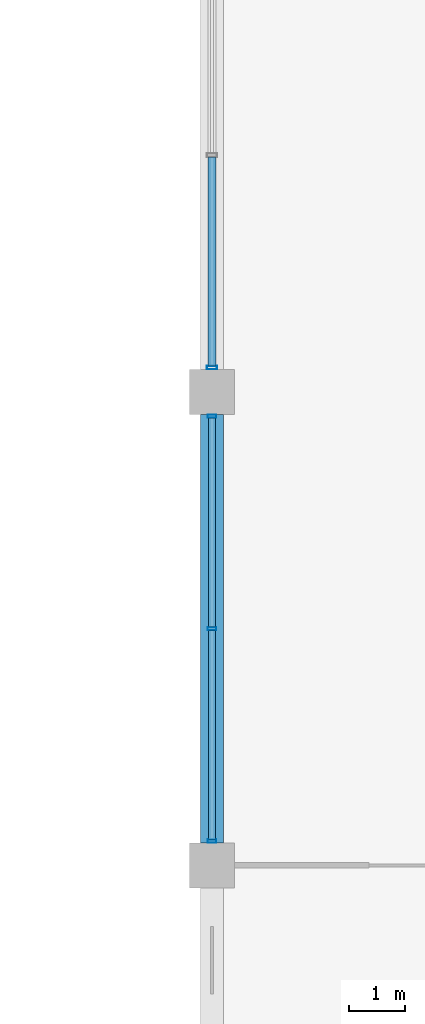
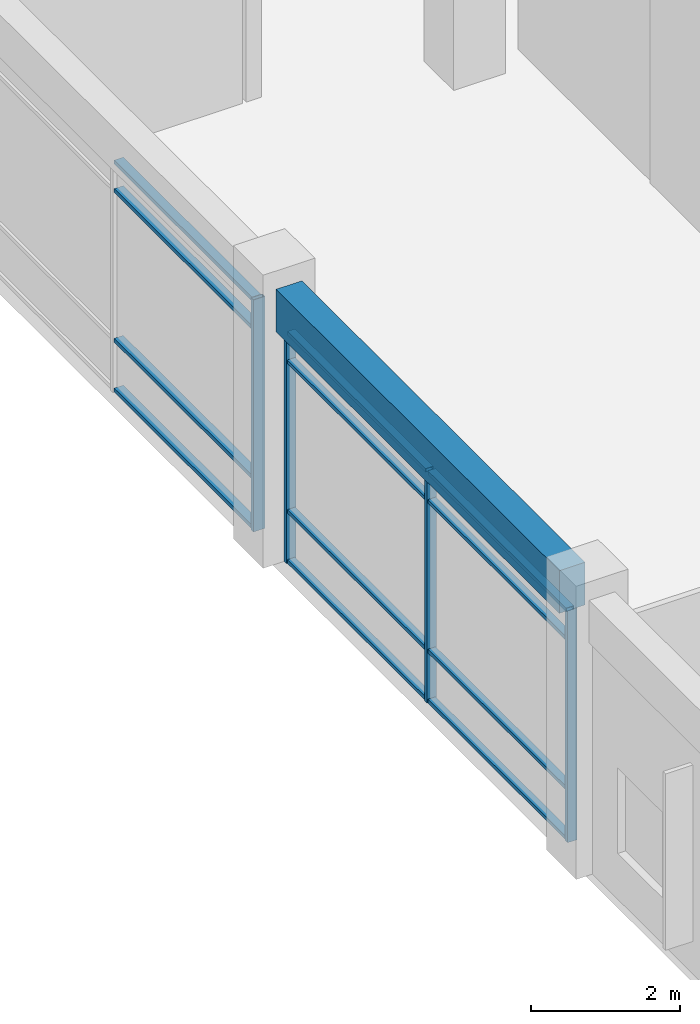
# One storey, part 24 of 62: 16 members, 1 beam, 2 elements without a shape of their own.
"""IFC4 building model written with IfcOpenShell, lengths in metres."""

import ifcopenshell
import ifcopenshell.guid

model = None  # the IFC model being written
_history = None  # IfcOwnerHistory: only IFC2X3 demands one
_inside = {}  # id of a spatial element -> (the spatial element, [elements in it])
_under = {}  # id of a project, library or spatial element -> (it, [spatial elements below it])
_declared = {}  # id of a project -> (the project, [libraries it declares])
_typed = {}  # id of a type object -> (the type object, [elements of that type])
_made_of = {}  # id of a material, layer set ... -> (it, [elements and type objects made of it])


def new_model(schema):
    """Start an empty IFC model of exactly this schema.

    Asked for "IFC4X3", IfcOpenShell would pick the latest addendum, in which some entities
    have other attributes; the version numbers below select the first issue.
    IFC2X3 requires an IfcOwnerHistory on every rooted entity: one is made here for all.
    """
    global model, _history
    if schema == "IFC4X3":
        model = ifcopenshell.file(schema_version=(4, 3, 0, 0))
    else:
        model = ifcopenshell.file(schema=schema)
    _inside.clear()
    _under.clear()
    _declared.clear()
    _typed.clear()
    _made_of.clear()
    _history = None
    if model.schema == "IFC2X3":
        org = make("IfcOrganization", Name="unknown")
        user = make(
            "IfcPersonAndOrganization",
            ThePerson=make("IfcPerson", FamilyName="unknown"),
            TheOrganization=org,
        )
        app = make(
            "IfcApplication",
            ApplicationDeveloper=org,
            Version="unknown",
            ApplicationFullName="unknown",
            ApplicationIdentifier="unknown",
        )
        _history = make(
            "IfcOwnerHistory",
            OwningUser=user,
            OwningApplication=app,
            ChangeAction="ADDED",
            CreationDate=0,
        )
    return model


def make(cls, **values):
    """One entity of the class cls with the attributes given. An attribute that is None is left unset."""
    return model.create_entity(
        cls, **{name: value for name, value in values.items() if value is not None}
    )


def rooted(cls, **values):
    """An entity with a GlobalId (a new one), such as an element, a storey or a relation."""
    return make(cls, GlobalId=ifcopenshell.guid.new(), OwnerHistory=_history, **values)


def si_unit(unit_type, name, prefix=None):
    """IfcSIUnit, for example si_unit("LENGTHUNIT", "METRE", prefix="MILLI")."""
    return make("IfcSIUnit", UnitType=unit_type, Prefix=prefix, Name=name)


def assignment(units):
    """IfcUnitAssignment: the units of a project."""
    return None if units is None else make("IfcUnitAssignment", Units=units)


def point(xyz):
    """IfcCartesianPoint."""
    return None if xyz is None else make("IfcCartesianPoint", Coordinates=xyz)


def direction(xyz):
    """IfcDirection."""
    return None if xyz is None else make("IfcDirection", DirectionRatios=xyz)


def frame(location, z_axis=None, x_axis=None):
    """IfcAxis2Placement3D, a coordinate frame: its origin and axes. An axis left out is left unset."""
    return make(
        "IfcAxis2Placement3D",
        Location=point(location),
        Axis=direction(z_axis),
        RefDirection=direction(x_axis),
    )


def frame_2d(location, x_axis=None):
    """IfcAxis2Placement2D, a coordinate frame in the plane: its origin and x axis."""
    return make(
        "IfcAxis2Placement2D", Location=point(location), RefDirection=direction(x_axis)
    )


def origin():
    """The frame at (0, 0, 0) with its axes left unset."""
    return frame((0.0, 0.0, 0.0))


def origin_2d():
    """The frame at (0, 0) in the plane with its x axis left unset."""
    return frame_2d((0.0, 0.0))


def place(relative_to, where):
    """IfcLocalPlacement: puts the frame where relative to a parent placement (None: the world)."""
    return make(
        "IfcLocalPlacement", PlacementRelTo=relative_to, RelativePlacement=where
    )


def context(
    kind, dimensions, precision=None, world=None, true_north=None, identifier=None
):
    """IfcGeometricRepresentationContext, for example the 3D "Model" context."""
    return make(
        "IfcGeometricRepresentationContext",
        ContextIdentifier=identifier,
        ContextType=kind,
        CoordinateSpaceDimension=dimensions,
        Precision=precision,
        WorldCoordinateSystem=world,
        TrueNorth=true_north,
    )


def subcontext(parent, identifier, kind, view, scale=None):
    """IfcGeometricRepresentationSubContext, for example "Body" below "Model"."""
    return make(
        "IfcGeometricRepresentationSubContext",
        ContextIdentifier=identifier,
        ContextType=kind,
        ParentContext=parent,
        TargetScale=scale,
        TargetView=view,
    )


def project(units=None, contexts=None):
    """IfcProject with its units and contexts."""
    return rooted(
        "IfcProject",
        Name="project",
        RepresentationContexts=contexts,
        UnitsInContext=assignment(units),
    )


def spatial(cls, under=None, at=None, **own):
    """A site, building, storey or space (cls), placed at a placement, below another one or the project."""
    s = rooted(cls, ObjectPlacement=at, **own)
    if under is not None:
        _under.setdefault(under.id(), (under, []))[1].append(s)
    return s


def profile(cls, at=None, kind="AREA", **sizes):
    """A parametric profile (cls). Its sizes go by their IFC names, for example OverallWidth=200.0."""
    return make(cls, ProfileType=kind, Position=at, **sizes)


def rectangle(**sizes):
    """IfcRectangleProfileDef."""
    return profile("IfcRectangleProfileDef", **sizes)


def hollow_rectangle(**sizes):
    """IfcRectangleHollowProfileDef."""
    return profile("IfcRectangleHollowProfileDef", **sizes)


def extrude(swept, where, along, depth):
    """IfcExtrudedAreaSolid: the profile swept, set in the frame where, extruded along a direction by depth."""
    return make(
        "IfcExtrudedAreaSolid",
        SweptArea=swept,
        Position=where,
        ExtrudedDirection=direction(along),
        Depth=depth,
    )


def shape(context_of_items, identifier, shape_type, items):
    """IfcShapeRepresentation: the items that make up one representation, for example the "Body"."""
    return make(
        "IfcShapeRepresentation",
        ContextOfItems=context_of_items,
        RepresentationIdentifier=identifier,
        RepresentationType=shape_type,
        Items=items,
    )


def material(Name=None, Category=None):
    """IfcMaterial."""
    return make("IfcMaterial", Name=Name, Category=Category)


def material_profile(
    of_material, cross_section, Name=None, Category=None, Priority=None
):
    """IfcMaterialProfile: a cross section and its material."""
    return make(
        "IfcMaterialProfile",
        Name=Name,
        Material=of_material,
        Profile=cross_section,
        Priority=Priority,
        Category=Category,
    )


def profile_set(profiles, Name=None, composite=None):
    """IfcMaterialProfileSet."""
    return make(
        "IfcMaterialProfileSet",
        Name=Name,
        MaterialProfiles=profiles,
        CompositeProfile=composite,
    )


def made_of(thing, what):
    """Note that an element or type object is made of a material, layer set ...; save() writes the relation."""
    if what is not None:
        _made_of.setdefault(what.id(), (what, []))[1].append(thing)
    return thing


def type_object(cls, material=None, **own):
    """A type object (cls), such as IfcWallType, which elements share."""
    return made_of(rooted(cls, **own), material)


def element(
    cls,
    number,
    at=None,
    inside=None,
    cuts=None,
    type_object=None,
    material=None,
    context=None,
    identifier="Body",
    shape_type=None,
    held_by="IfcProductDefinitionShape",
    body=None,
    shapes=None,
    **own,
):
    """One element of the class cls, such as IfcWall. Its Tag is "e" and its number.

    at: its placement. inside: the storey or other place that contains it. cuts: it is an
    opening in that element (IfcRelVoidsElement). A single representation is given by context,
    identifier, shape_type and body (its items); several are given by shapes. held_by: the class
    of the entity that holds the representations. save() writes the other relations.
    """
    e = rooted(cls, Tag="e%d" % number, ObjectPlacement=at, **own)
    if body is not None:
        shapes = [shape(context, identifier, shape_type, body)]
    if shapes is not None:
        e.Representation = make(held_by, Representations=shapes)
    if inside is not None:
        _inside.setdefault(inside.id(), (inside, []))[1].append(e)
    if cuts is not None:
        rooted(
            "IfcRelVoidsElement", RelatingBuildingElement=cuts, RelatedOpeningElement=e
        )
    if type_object is not None:
        _typed.setdefault(type_object.id(), (type_object, []))[1].append(e)
    return made_of(e, material)


def aggregate(whole, parts):
    """IfcRelAggregates: a whole, such as a stair, and the parts it consists of."""
    return rooted("IfcRelAggregates", RelatingObject=whole, RelatedObjects=parts)


def save(model, path):
    """Write the relations noted so far, then the file.

    IfcRelAggregates (storeys below a building ...), IfcRelContainedInSpatialStructure (elements
    in a storey), IfcRelDefinesByType, IfcRelAssociatesMaterial and IfcRelDeclares: one each for
    every whole, place, type object, material and project.
    """
    for whole, parts in _under.values():
        aggregate(whole, parts)
    for where, things in _inside.values():
        rooted(
            "IfcRelContainedInSpatialStructure",
            RelatedElements=things,
            RelatingStructure=where,
        )
    for kind, things in _typed.values():
        rooted("IfcRelDefinesByType", RelatedObjects=things, RelatingType=kind)
    for what, things in _made_of.values():
        rooted("IfcRelAssociatesMaterial", RelatedObjects=things, RelatingMaterial=what)
    for by, libraries in _declared.values():
        rooted("IfcRelDeclares", RelatingContext=by, RelatedDefinitions=libraries)
    model.write(path)


model = new_model("IFC4")

# Units and contexts
model_context = context("Model", 3, precision=1e-05, world=origin(), true_north=direction((0.0, 1.0)))
body_context = subcontext(model_context, "Body", "Model", "MODEL_VIEW")
ifc_project = project(units=[si_unit("LENGTHUNIT", "METRE"), si_unit("AREAUNIT", "SQUARE_METRE"), si_unit("VOLUMEUNIT", "CUBIC_METRE"), si_unit("PLANEANGLEUNIT", "RADIAN"), si_unit("MASSUNIT", "GRAM", prefix="KILO"), si_unit("THERMODYNAMICTEMPERATUREUNIT", "KELVIN"), si_unit("POWERUNIT", "WATT")], contexts=[model_context])

# Site, building, storey
site_placement = place(None, origin())
site = spatial("IfcSite", under=ifc_project, at=site_placement, CompositionType="ELEMENT")
building_placement = place(site_placement, origin())
building = spatial("IfcBuilding", under=site, at=building_placement, Name="Srebrne Nadtorze General Hospital", CompositionType="ELEMENT")
storey_placement = place(building_placement, frame((0.0, 0.0, 9.60009765625)))
storey = spatial("IfcBuildingStorey", under=building, at=storey_placement, Name="L02", CompositionType="ELEMENT", Elevation=9.60009765625)

# Curtain wall, members
ifc_material_1 = material(Name="Anodised Aluminium", Category="aluminium")
curtain_wall_type = type_object("IfcCurtainWallType", Name="Unitised curtain wall 7600x3800", PredefinedType="NOTDEFINED", material=ifc_material_1)
curtain_wall_1_placement = place(storey_placement, origin())
curtain_wall_1 = element("IfcCurtainWall", 1, at=curtain_wall_1_placement, inside=storey, type_object=curtain_wall_type, Name="Curtain wall CW-084", PredefinedType="NOTDEFINED")
ifc_material_2 = material(Name="Anodised Aluminium", Category="aluminium")
ifc_material_profile_1 = material_profile(ifc_material_2, hollow_rectangle(XDim=0.06005859375, YDim=0.14990234375, WallThickness=0.00390625, at=origin_2d()), Name="AL-MUL-60x150")
ifc_profile_set_1 = profile_set([ifc_material_profile_1], Name="Anodised Aluminium")
member_type_1 = type_object("IfcMemberType", Name="Curtain mullion 60x150", PredefinedType="MULLION", material=ifc_profile_set_1)
member_1_placement = place(storey_placement, frame((101.39990234375, 34.030029296875, 0.0), z_axis=(0.0, 0.0, 1.0), x_axis=(0.0, 1.0, 0.0)))
member_1 = element("IfcMember", 2, at=member_1_placement, type_object=member_type_1, Name="CW-084 mullion 1", PredefinedType="MULLION", context=body_context, shape_type="SweptSolid", body=[
    extrude(hollow_rectangle(XDim=0.06005859375, YDim=0.14990234375, WallThickness=0.00390625, at=origin_2d()), origin(), (0.0, 0.0, 1.0), 3.7998046875),
])
member_2_placement = place(storey_placement, frame((101.39990234375, 37.800048828125, 0.0), z_axis=(0.0, 0.0, 1.0), x_axis=(0.0, 1.0, 0.0)))
member_2 = element("IfcMember", 3, at=member_2_placement, type_object=member_type_1, Name="CW-084 mullion 2", PredefinedType="MULLION", context=body_context, shape_type="SweptSolid", body=[
    extrude(hollow_rectangle(XDim=0.06005859375, YDim=0.14990234375, WallThickness=0.00390625, at=origin_2d()), origin(), (0.0, 0.0, 1.0), 3.7998046875),
])
member_3_placement = place(storey_placement, frame((101.39990234375, 41.570068359375, 0.0), z_axis=(0.0, 0.0, 1.0), x_axis=(0.0, 1.0, 0.0)))
member_3 = element("IfcMember", 4, at=member_3_placement, type_object=member_type_1, Name="CW-084 mullion 3", PredefinedType="MULLION", context=body_context, shape_type="SweptSolid", body=[
    extrude(hollow_rectangle(XDim=0.06005859375, YDim=0.14990234375, WallThickness=0.00390625, at=origin_2d()), origin(), (0.0, 0.0, 1.0), 3.7998046875),
])

# Curtain wall, member
curtain_wall_2_placement = place(storey_placement, origin())
curtain_wall_2 = element("IfcCurtainWall", 5, at=curtain_wall_2_placement, inside=storey, type_object=curtain_wall_type, Name="Curtain wall CW-085", PredefinedType="NOTDEFINED")
ifc_material_3 = material(Name="Anodised Aluminium", Category="aluminium")
ifc_material_profile_2 = material_profile(ifc_material_3, hollow_rectangle(XDim=0.06494140625, YDim=0.179931640625, WallThickness=0.00390625, at=origin_2d()), Name="AL-MUL-65x180")
ifc_profile_set_2 = profile_set([ifc_material_profile_2], Name="Anodised Aluminium")
member_type_2 = type_object("IfcMemberType", Name="Curtain mullion 65x180", PredefinedType="MULLION", material=ifc_profile_set_2)
member_4_placement = place(storey_placement, frame((101.39990234375, 42.4326171875, 0.0), z_axis=(0.0, 0.0, 1.0), x_axis=(0.0, 1.0, 0.0)))
member_4 = element("IfcMember", 6, at=member_4_placement, type_object=member_type_2, Name="CW-085 mullion 1", PredefinedType="MULLION", context=body_context, shape_type="SweptSolid", body=[
    extrude(hollow_rectangle(XDim=0.06494140625, YDim=0.179931640625, WallThickness=0.00390625, at=origin_2d()), origin(), (0.0, 0.0, 1.0), 3.7998046875),
])

# Member
ifc_material_4 = material(Name="Anodised Aluminium", Category="aluminium")
ifc_material_profile_3 = material_profile(ifc_material_4, hollow_rectangle(XDim=0.06005859375, YDim=0.1201171875, WallThickness=0.00390625, at=origin_2d()), Name="AL-TRN-60x120")
ifc_profile_set_3 = profile_set([ifc_material_profile_3], Name="Anodised Aluminium")
member_type_3 = type_object("IfcMemberType", Name="Curtain transom 60x120", PredefinedType="USERDEFINED", material=ifc_profile_set_3)
member_5_placement = place(storey_placement, frame((101.39990234375, 34.06005859375, 0.02978515625), z_axis=(0.0, 1.0, 0.0), x_axis=(0.0, 0.0, 1.0)))
member_5 = element("IfcMember", 7, at=member_5_placement, type_object=member_type_3, Name="CW-084 transom 1.1", ObjectType="TRANSOM", PredefinedType="USERDEFINED", context=body_context, shape_type="SweptSolid", body=[
    extrude(hollow_rectangle(XDim=0.06005859375, YDim=0.1201171875, WallThickness=0.00390625, at=origin_2d()), origin(), (0.0, 0.0, 1.0), 3.7099609375),
])

member_6_placement = place(storey_placement, frame((101.39990234375, 34.06005859375, 0.849853515625), z_axis=(0.0, 1.0, 0.0), x_axis=(0.0, 0.0, 1.0)))
member_6 = element("IfcMember", 8, at=member_6_placement, type_object=member_type_3, Name="CW-084 transom 1.2", ObjectType="TRANSOM", PredefinedType="USERDEFINED", context=body_context, shape_type="SweptSolid", body=[
    extrude(hollow_rectangle(XDim=0.06005859375, YDim=0.1201171875, WallThickness=0.00390625, at=origin_2d()), origin(), (0.0, 0.0, 1.0), 3.7099609375),
])

member_7_placement = place(storey_placement, frame((101.39990234375, 34.06005859375, 3.2998046875), z_axis=(0.0, 1.0, 0.0), x_axis=(0.0, 0.0, 1.0)))
member_7 = element("IfcMember", 9, at=member_7_placement, type_object=member_type_3, Name="CW-084 transom 1.3", ObjectType="TRANSOM", PredefinedType="USERDEFINED", context=body_context, shape_type="SweptSolid", body=[
    extrude(hollow_rectangle(XDim=0.06005859375, YDim=0.1201171875, WallThickness=0.00390625, at=origin_2d()), origin(), (0.0, 0.0, 1.0), 3.7099609375),
])

member_8_placement = place(storey_placement, frame((101.39990234375, 34.06005859375, 3.77001953125), z_axis=(0.0, 1.0, 0.0), x_axis=(0.0, 0.0, 1.0)))
member_8 = element("IfcMember", 10, at=member_8_placement, type_object=member_type_3, Name="CW-084 transom 1.4", ObjectType="TRANSOM", PredefinedType="USERDEFINED", context=body_context, shape_type="SweptSolid", body=[
    extrude(hollow_rectangle(XDim=0.06005859375, YDim=0.1201171875, WallThickness=0.00390625, at=origin_2d()), origin(), (0.0, 0.0, 1.0), 3.7099609375),
])

member_9_placement = place(storey_placement, frame((101.39990234375, 37.830078125, 0.02978515625), z_axis=(0.0, 1.0, 0.0), x_axis=(0.0, 0.0, 1.0)))
member_9 = element("IfcMember", 11, at=member_9_placement, type_object=member_type_3, Name="CW-084 transom 2.1", ObjectType="TRANSOM", PredefinedType="USERDEFINED", context=body_context, shape_type="SweptSolid", body=[
    extrude(hollow_rectangle(XDim=0.06005859375, YDim=0.1201171875, WallThickness=0.00390625, at=origin_2d()), origin(), (0.0, 0.0, 1.0), 3.7099609375),
])

member_10_placement = place(storey_placement, frame((101.39990234375, 37.830078125, 0.849853515625), z_axis=(0.0, 1.0, 0.0), x_axis=(0.0, 0.0, 1.0)))
member_10 = element("IfcMember", 12, at=member_10_placement, type_object=member_type_3, Name="CW-084 transom 2.2", ObjectType="TRANSOM", PredefinedType="USERDEFINED", context=body_context, shape_type="SweptSolid", body=[
    extrude(hollow_rectangle(XDim=0.06005859375, YDim=0.1201171875, WallThickness=0.00390625, at=origin_2d()), origin(), (0.0, 0.0, 1.0), 3.7099609375),
])

member_11_placement = place(storey_placement, frame((101.39990234375, 37.830078125, 3.2998046875), z_axis=(0.0, 1.0, 0.0), x_axis=(0.0, 0.0, 1.0)))
member_11 = element("IfcMember", 13, at=member_11_placement, type_object=member_type_3, Name="CW-084 transom 2.3", ObjectType="TRANSOM", PredefinedType="USERDEFINED", context=body_context, shape_type="SweptSolid", body=[
    extrude(hollow_rectangle(XDim=0.06005859375, YDim=0.1201171875, WallThickness=0.00390625, at=origin_2d()), origin(), (0.0, 0.0, 1.0), 3.7099609375),
])

member_12_placement = place(storey_placement, frame((101.39990234375, 37.830078125, 3.77001953125), z_axis=(0.0, 1.0, 0.0), x_axis=(0.0, 0.0, 1.0)))
member_12 = element("IfcMember", 14, at=member_12_placement, type_object=member_type_3, Name="CW-084 transom 2.4", ObjectType="TRANSOM", PredefinedType="USERDEFINED", context=body_context, shape_type="SweptSolid", body=[
    extrude(hollow_rectangle(XDim=0.06005859375, YDim=0.1201171875, WallThickness=0.00390625, at=origin_2d()), origin(), (0.0, 0.0, 1.0), 3.7099609375),
])

aggregate(curtain_wall_1, [member_1, member_2, member_3, member_5, member_6, member_7, member_8, member_9, member_10, member_11, member_12])

ifc_material_5 = material(Name="Anodised Aluminium", Category="aluminium")
ifc_material_profile_4 = material_profile(ifc_material_5, hollow_rectangle(XDim=0.06494140625, YDim=0.139892578125, WallThickness=0.00390625, at=origin_2d()), Name="AL-TRN-65x140")
ifc_profile_set_4 = profile_set([ifc_material_profile_4], Name="Anodised Aluminium")
member_type_4 = type_object("IfcMemberType", Name="Curtain transom 65x140", PredefinedType="USERDEFINED", material=ifc_profile_set_4)
member_13_placement = place(storey_placement, frame((101.39990234375, 42.465087890625, 0.032470703125), z_axis=(0.0, 1.0, 0.0), x_axis=(0.0, 0.0, 1.0)))
member_13 = element("IfcMember", 15, at=member_13_placement, type_object=member_type_4, Name="CW-085 transom 1.1", ObjectType="TRANSOM", PredefinedType="USERDEFINED", context=body_context, shape_type="SweptSolid", body=[
    extrude(hollow_rectangle(XDim=0.06494140625, YDim=0.139892578125, WallThickness=0.00390625, at=origin_2d()), origin(), (0.0, 0.0, 1.0), 3.702392578125),
])

member_14_placement = place(storey_placement, frame((101.39990234375, 42.465087890625, 0.849853515625), z_axis=(0.0, 1.0, 0.0), x_axis=(0.0, 0.0, 1.0)))
member_14 = element("IfcMember", 16, at=member_14_placement, type_object=member_type_4, Name="CW-085 transom 1.2", ObjectType="TRANSOM", PredefinedType="USERDEFINED", context=body_context, shape_type="SweptSolid", body=[
    extrude(hollow_rectangle(XDim=0.06494140625, YDim=0.139892578125, WallThickness=0.00390625, at=origin_2d()), origin(), (0.0, 0.0, 1.0), 3.702392578125),
])

member_15_placement = place(storey_placement, frame((101.39990234375, 42.465087890625, 3.2998046875), z_axis=(0.0, 1.0, 0.0), x_axis=(0.0, 0.0, 1.0)))
member_15 = element("IfcMember", 17, at=member_15_placement, type_object=member_type_4, Name="CW-085 transom 1.3", ObjectType="TRANSOM", PredefinedType="USERDEFINED", context=body_context, shape_type="SweptSolid", body=[
    extrude(hollow_rectangle(XDim=0.06494140625, YDim=0.139892578125, WallThickness=0.00390625, at=origin_2d()), origin(), (0.0, 0.0, 1.0), 3.702392578125),
])

member_16_placement = place(storey_placement, frame((101.39990234375, 42.465087890625, 3.767333984375), z_axis=(0.0, 1.0, 0.0), x_axis=(0.0, 0.0, 1.0)))
member_16 = element("IfcMember", 18, at=member_16_placement, type_object=member_type_4, Name="CW-085 transom 1.4", ObjectType="TRANSOM", PredefinedType="USERDEFINED", context=body_context, shape_type="SweptSolid", body=[
    extrude(hollow_rectangle(XDim=0.06494140625, YDim=0.139892578125, WallThickness=0.00390625, at=origin_2d()), origin(), (0.0, 0.0, 1.0), 3.702392578125),
])

aggregate(curtain_wall_2, [member_4, member_13, member_14, member_15, member_16])

# Beam
ifc_material_6 = material(Name="Concrete C40/50", Category="concrete")
ifc_material_profile_5 = material_profile(ifc_material_6, rectangle(XDim=0.39990234375, YDim=0.699951171875, at=origin_2d()), Name="RC-BM-400x700")
ifc_profile_set_5 = profile_set([ifc_material_profile_5], Name="Concrete C40/50")
beam_type = type_object("IfcBeamType", Name="Edge beam RC 400x700", PredefinedType="BEAM", material=ifc_profile_set_5)
beam_placement = place(storey_placement, frame((101.39990234375, 34.0, 4.14990234375), z_axis=(0.0, 1.0, 0.0), x_axis=(-1.0, 0.0, 0.0)))
element("IfcBeam", 19, at=beam_placement, inside=storey, type_object=beam_type, Name="Beam BM-L02-Y-0676", PredefinedType="BEAM", context=body_context, shape_type="SweptSolid", body=[
    extrude(rectangle(XDim=0.39990234375, YDim=0.699951171875, at=origin_2d()), origin(), (0.0, 0.0, 1.0), 7.60009765625),
])

save(model, "model.ifc")
